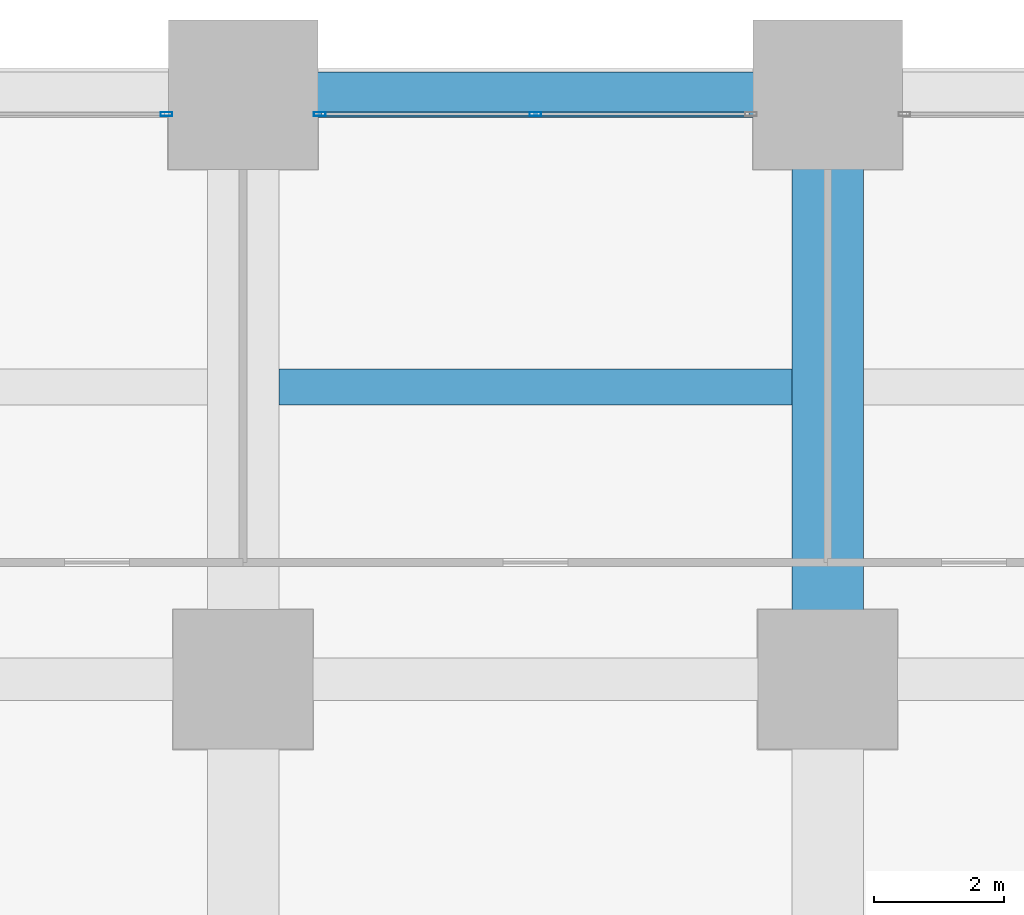
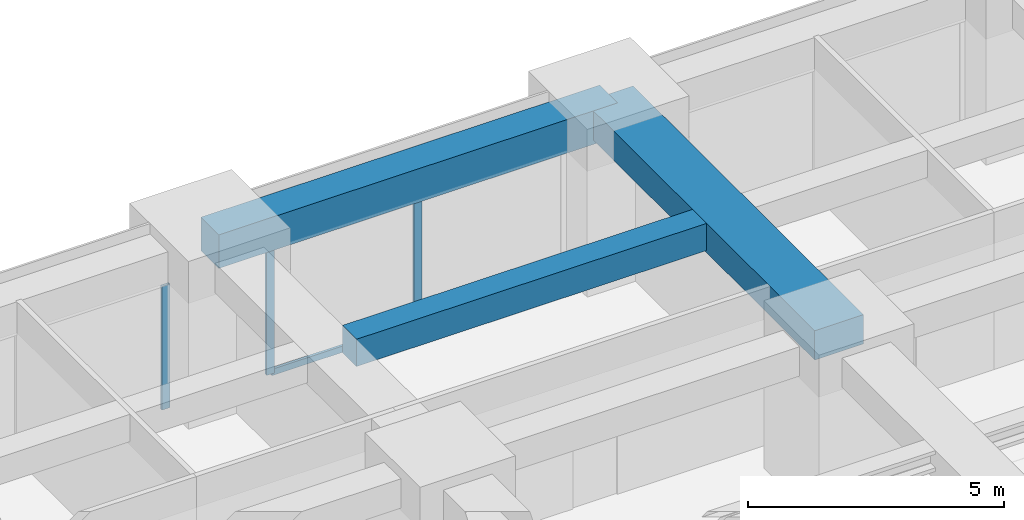
# One storey, part 29 of 44: 4 members, 3 beams, 2 elements without a shape of their own.
"""IFC4 building model written with IfcOpenShell, lengths in metres."""

from ifc_helpers import new_model, si_unit, direction, frame, origin, origin_2d, place, context, subcontext, project, spatial, rectangle, hollow_rectangle, extrude, material, material_profile, profile_set, type_object, element, aggregate, save


model = new_model("IFC4")

# Units and contexts
model_context = context("Model", 3, precision=1e-05, world=origin(), true_north=direction((0.0, 1.0)))
body_context = subcontext(model_context, "Body", "Model", "MODEL_VIEW")
ifc_project = project(units=[si_unit("LENGTHUNIT", "METRE"), si_unit("AREAUNIT", "SQUARE_METRE"), si_unit("VOLUMEUNIT", "CUBIC_METRE"), si_unit("PLANEANGLEUNIT", "RADIAN"), si_unit("MASSUNIT", "GRAM", prefix="KILO")], contexts=[model_context])

# Site, building, storey
site_placement = place(None, origin())
site = spatial("IfcSite", under=ifc_project, at=site_placement, CompositionType="ELEMENT")
building_placement = place(site_placement, origin())
building = spatial("IfcBuilding", under=site, at=building_placement, Name="Zorevar Civic Tower", CompositionType="ELEMENT")
storey_placement = place(building_placement, frame((0.0, 0.0, 59.800048828125)))
storey = spatial("IfcBuildingStorey", under=building, at=storey_placement, Name="L14", CompositionType="ELEMENT", Elevation=59.800048828125)

# Beams
ifc_material_1 = material(Name="Concrete C50/60", Category="concrete")
ifc_material_profile_1 = material_profile(ifc_material_1, rectangle(XDim=1.10009765625, YDim=0.699951171875, at=origin_2d()), Name="RC 1100x700")
ifc_profile_set_1 = profile_set([ifc_material_profile_1], Name="Concrete C50/60")
beam_type_1 = type_object("IfcBeamType", Name="Beam RC 1100x700", PredefinedType="BEAM", material=ifc_profile_set_1)
beam_1_placement = place(storey_placement, frame((27.0, 45.0, 3.39990234375), z_axis=(0.0, 1.0, 0.0), x_axis=(-1.0, 0.0, 0.0)))
element("IfcBeam", 1, at=beam_1_placement, inside=storey, type_object=beam_type_1, Name="Girder L15", PredefinedType="BEAM", context=body_context, shape_type="SweptSolid", body=[
    extrude(rectangle(XDim=1.10009765625, YDim=0.699951171875, at=origin_2d()), origin(), (0.0, 0.0, 1.0), 9.0),
])
ifc_material_2 = material(Name="Concrete C50/60", Category="concrete")
ifc_material_profile_2 = material_profile(ifc_material_2, rectangle(XDim=0.550048828125, YDim=0.64990234375, at=origin_2d()), Name="RC 550x650")
ifc_profile_set_2 = profile_set([ifc_material_profile_2], Name="Concrete C50/60")
beam_type_2 = type_object("IfcBeamType", Name="Beam RC 550x650", PredefinedType="BEAM", material=ifc_profile_set_2)
beam_2_placement = place(storey_placement, frame((18.550048828125, 49.5, 3.425048828125), z_axis=(1.0, 0.0, 0.0), x_axis=(0.0, 1.0, 0.0)))
element("IfcBeam", 2, at=beam_2_placement, inside=storey, type_object=beam_type_2, Name="Secondary beam L15", PredefinedType="BEAM", context=body_context, shape_type="SweptSolid", body=[
    extrude(rectangle(XDim=0.550048828125, YDim=0.64990234375, at=origin_2d()), origin(), (0.0, 0.0, 1.0), 7.89990234375),
])

# Curtain wall, member
ifc_material_3 = material(Name="Dark grey solar-control glass in black aluminium frame", Category="aluminium")
curtain_wall_type = type_object("IfcCurtainWallType", Name="Curtain wall CW2 low zone", PredefinedType="NOTDEFINED", material=ifc_material_3)
curtain_wall_1_placement = place(storey_placement, origin())
curtain_wall_1 = element("IfcCurtainWall", 3, at=curtain_wall_1_placement, inside=storey, type_object=curtain_wall_type, Name="CW2 L14", PredefinedType="NOTDEFINED")
ifc_material_4 = material(Name="Aluminium, black anodised", Category="aluminium")
ifc_material_profile_3 = material_profile(ifc_material_4, hollow_rectangle(XDim=0.06005859375, YDim=0.179931640625, WallThickness=0.00390625, at=origin_2d()), Name="AL 180x60x4")
ifc_profile_set_3 = profile_set([ifc_material_profile_3], Name="Aluminium, black anodised")
member_type_1 = type_object("IfcMemberType", Name="CW2 mullion AL 180x60x4", PredefinedType="MULLION", material=ifc_profile_set_3)
member_1_placement = place(storey_placement, frame((16.820068359375, 53.699951171875, 0.0), z_axis=(0.0, 0.0, 1.0), x_axis=(0.0, 1.0, 0.0)))
member_1 = element("IfcMember", 4, at=member_1_placement, type_object=member_type_1, Name="CW2 mullion 3", PredefinedType="MULLION", context=body_context, shape_type="SweptSolid", body=[
    extrude(hollow_rectangle(XDim=0.06005859375, YDim=0.179931640625, WallThickness=0.00390625, at=origin_2d()), origin(), (0.0, 0.0, 1.0), 2.949951171875),
])
aggregate(curtain_wall_1, [member_1])

# Curtain wall, members
curtain_wall_2_placement = place(storey_placement, origin())
curtain_wall_2 = element("IfcCurtainWall", 5, at=curtain_wall_2_placement, inside=storey, type_object=curtain_wall_type, Name="CW2 L14", PredefinedType="NOTDEFINED")
member_2_placement = place(storey_placement, frame((19.179931640625, 53.699951171875, 0.0), z_axis=(0.0, 0.0, 1.0), x_axis=(0.0, 1.0, 0.0)))
member_2 = element("IfcMember", 6, at=member_2_placement, type_object=member_type_1, Name="CW2 mullion 1", PredefinedType="MULLION", context=body_context, shape_type="SweptSolid", body=[
    extrude(hollow_rectangle(XDim=0.06005859375, YDim=0.179931640625, WallThickness=0.00390625, at=origin_2d()), origin(), (0.0, 0.0, 1.0), 2.949951171875),
])
member_3_placement = place(storey_placement, frame((22.5, 53.699951171875, 0.06005859375), z_axis=(0.0, 0.0, 1.0), x_axis=(0.0, 1.0, 0.0)))
member_3 = element("IfcMember", 7, at=member_3_placement, type_object=member_type_1, Name="CW2 mullion 2", PredefinedType="MULLION", context=body_context, shape_type="SweptSolid", body=[
    extrude(hollow_rectangle(XDim=0.06005859375, YDim=0.179931640625, WallThickness=0.00390625, at=origin_2d()), origin(), (0.0, 0.0, 1.0), 2.889892578125),
])
ifc_material_5 = material(Name="Aluminium, black anodised", Category="aluminium")
ifc_material_profile_4 = material_profile(ifc_material_5, hollow_rectangle(XDim=0.06005859375, YDim=0.14990234375, WallThickness=0.00390625, at=origin_2d()), Name="AL 150x60x4")
ifc_profile_set_4 = profile_set([ifc_material_profile_4], Name="Aluminium, black anodised")
member_type_2 = type_object("IfcMemberType", Name="CW2 transom AL 150x60x4", PredefinedType="USERDEFINED", material=ifc_profile_set_4)
member_4_placement = place(storey_placement, frame((19.2099609375, 53.699951171875, 0.030029296875), z_axis=(1.0, 0.0, 0.0), x_axis=(0.0, 1.0, 0.0)))
member_4 = element("IfcMember", 8, at=member_4_placement, type_object=member_type_2, Name="CW2 sill transom", ObjectType="TRANSOM", PredefinedType="USERDEFINED", context=body_context, shape_type="SweptSolid", body=[
    extrude(hollow_rectangle(XDim=0.06005859375, YDim=0.14990234375, WallThickness=0.00390625, at=origin_2d()), origin(), (0.0, 0.0, 1.0), 6.580078125),
])
aggregate(curtain_wall_2, [member_2, member_3, member_4])

# Beam
ifc_material_6 = material(Name="Concrete C50/60", Category="concrete")
ifc_material_profile_5 = material_profile(ifc_material_6, rectangle(XDim=0.699951171875, YDim=0.800048828125, at=origin_2d()), Name="RC 700x800")
ifc_profile_set_5 = profile_set([ifc_material_profile_5], Name="Concrete C50/60")
beam_type_3 = type_object("IfcBeamType", Name="Edge beam RC 700x800", PredefinedType="SPANDREL", material=ifc_profile_set_5)
beam_3_placement = place(storey_placement, frame((18.0, 54.0, 3.349853515625), z_axis=(1.0, 0.0, 0.0), x_axis=(0.0, 1.0, 0.0)))
element("IfcBeam", 9, at=beam_3_placement, inside=storey, type_object=beam_type_3, Name="Edge beam L15", PredefinedType="SPANDREL", context=body_context, shape_type="SweptSolid", body=[
    extrude(rectangle(XDim=0.699951171875, YDim=0.800048828125, at=origin_2d()), origin(), (0.0, 0.0, 1.0), 9.0),
])

save(model, "model.ifc")
